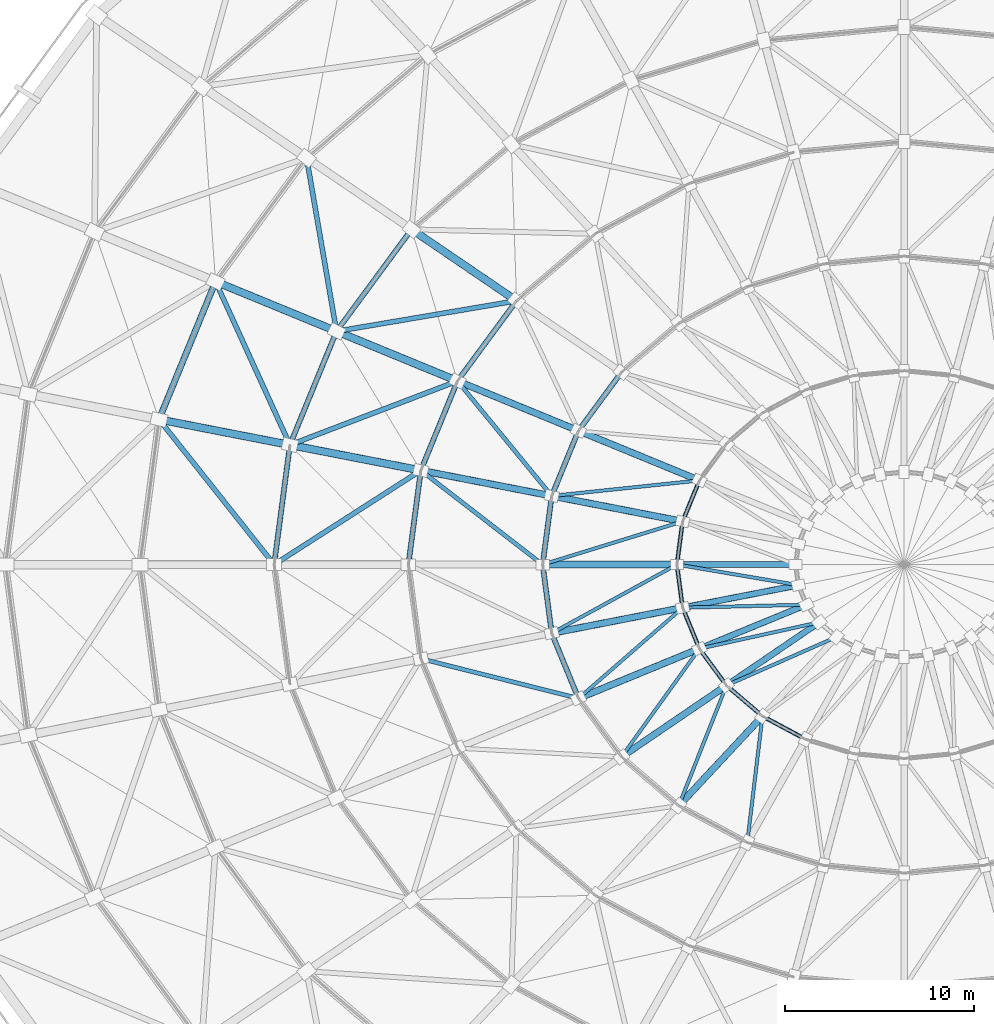
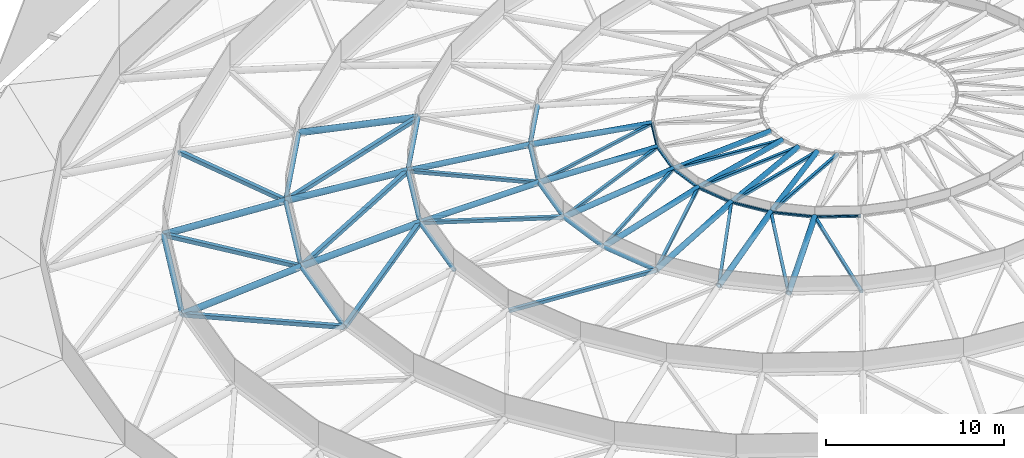
# One storey, part 7 of 27: 57 members.
"""IFC4 building model written with IfcOpenShell, lengths in metres."""

from ifc_helpers import new_model, si_unit, direction, frame, origin, origin_2d, place, context, subcontext, project, spatial, hollow_rectangle, hollow_circle, extrude, material, material_profile, profile_set, type_object, element, save


model = new_model("IFC4")

# Units and contexts
model_context = context("Model", 3, precision=1e-05, world=origin(), true_north=direction((0.0, 1.0)))
body_context = subcontext(model_context, "Body", "Model", "MODEL_VIEW")
ifc_project = project(units=[si_unit("LENGTHUNIT", "METRE"), si_unit("AREAUNIT", "SQUARE_METRE"), si_unit("VOLUMEUNIT", "CUBIC_METRE"), si_unit("PLANEANGLEUNIT", "RADIAN"), si_unit("MASSUNIT", "GRAM", prefix="KILO")], contexts=[model_context])

# Site, building, storey
site_placement = place(None, origin())
site = spatial("IfcSite", under=ifc_project, at=site_placement, CompositionType="ELEMENT")
building_placement = place(site_placement, origin())
building = spatial("IfcBuilding", under=site, at=building_placement, Name="Cuetzalor Civic Arena", CompositionType="ELEMENT")
storey_placement = place(building_placement, frame((0.0, 0.0, 31.800048828125)))
storey = spatial("IfcBuildingStorey", under=building, at=storey_placement, Name="Roof", CompositionType="ELEMENT", Elevation=31.800048828125)

# Members
ifc_material_1 = material(Name="Steel S355J2H", Category="steel")
ifc_material_profile_1 = material_profile(ifc_material_1, hollow_circle(Radius=0.136474609375, WallThickness=0.010009765625, at=origin_2d()), Name="CHS 273x10")
ifc_profile_set_1 = profile_set([ifc_material_profile_1], Name="Steel S355J2H")
member_type_1 = type_object("IfcMemberType", Name="DomeAnnularChord_CHS273", PredefinedType="CHORD", material=ifc_profile_set_1)
member_1_placement = place(storey_placement, frame((-26.01708984375, 17.70263671875, 5.66650390625), z_axis=(-0.592932287523, -0.805252322203, 0.0), x_axis=(0.805252322203, -0.592932287523, 0.0)))
element("IfcMember", 1, at=member_1_placement, inside=storey, type_object=member_type_1, Name="Dome Roof Truss Annular Ring Chord R3-S12", PredefinedType="CHORD", context=body_context, shape_type="SweptSolid", body=[
    extrude(hollow_circle(Radius=0.136474609375, WallThickness=0.010009765625, at=origin_2d()), origin(), (0.0, 0.0, 1.0), 6.681884765625),
])
member_2_placement = place(storey_placement, frame((-29.98095703125, 12.318359375, 5.66650390625), z_axis=(-0.379402610444, -0.925231678656, 0.0), x_axis=(0.925231678656, -0.379402610444, 0.0)))
element("IfcMember", 2, at=member_2_placement, inside=storey, type_object=member_type_1, Name="Dome Roof Truss Annular Ring Chord R3-S13", PredefinedType="CHORD", context=body_context, shape_type="SweptSolid", body=[
    extrude(hollow_circle(Radius=0.136474609375, WallThickness=0.010009765625, at=origin_2d()), origin(), (0.0, 0.0, 1.0), 6.482421875),
])
member_3_placement = place(storey_placement, frame((-32.44140625, 6.316650390625, 5.66650390625), z_axis=(-0.130895721038, -0.99139614192, 0.0), x_axis=(0.99139614192, -0.130895721038, 0.0)))
element("IfcMember", 3, at=member_3_placement, inside=storey, type_object=member_type_1, Name="Dome Roof Truss Annular Ring Chord R3-S14", PredefinedType="CHORD", context=body_context, shape_type="SweptSolid", body=[
    extrude(hollow_circle(Radius=0.136474609375, WallThickness=0.010009765625, at=origin_2d()), origin(), (0.0, 0.0, 1.0), 6.369384765625),
])
member_4_placement = place(storey_placement, frame((-20.47265625, 13.9296875, 7.077392578125), z_axis=(-0.592932877776, -0.805251887581, 0.0), x_axis=(0.805251887581, -0.592932877776, 0.0)))
element("IfcMember", 4, at=member_4_placement, inside=storey, type_object=member_type_1, Name="Dome Roof Truss Annular Ring Chord R4-S12", PredefinedType="CHORD", context=body_context, shape_type="SweptSolid", body=[
    extrude(hollow_circle(Radius=0.136474609375, WallThickness=0.010009765625, at=origin_2d()), origin(), (0.0, 0.0, 1.0), 5.25732421875),
])
member_5_placement = place(storey_placement, frame((-23.591796875, 9.69287109375, 7.077392578125), z_axis=(-0.379357788908, -0.925250057009, 0.0), x_axis=(0.925250057009, -0.379357788908, 0.0)))
element("IfcMember", 5, at=member_5_placement, inside=storey, type_object=member_type_1, Name="Dome Roof Truss Annular Ring Chord R4-S13", PredefinedType="CHORD", context=body_context, shape_type="SweptSolid", body=[
    extrude(hollow_circle(Radius=0.136474609375, WallThickness=0.010009765625, at=origin_2d()), origin(), (0.0, 0.0, 1.0), 5.100341796875),
])
member_6_placement = place(storey_placement, frame((-25.52783203125, 4.969970703125, 7.077392578125), z_axis=(-0.130861572844, -0.991400649966, 0.0), x_axis=(0.991400649966, -0.130861572844, 0.0)))
element("IfcMember", 6, at=member_6_placement, inside=storey, type_object=member_type_1, Name="Dome Roof Truss Annular Ring Chord R4-S14", PredefinedType="CHORD", context=body_context, shape_type="SweptSolid", body=[
    extrude(hollow_circle(Radius=0.136474609375, WallThickness=0.010009765625, at=origin_2d()), origin(), (0.0, 0.0, 1.0), 5.01123046875),
])
member_7_placement = place(storey_placement, frame((-14.92822265625, 10.156494140625, 8.21044921875), z_axis=(-0.592953433432, -0.805236751385, 0.0), x_axis=(0.805236751385, -0.592953433432, 0.0)))
element("IfcMember", 7, at=member_7_placement, inside=storey, type_object=member_type_1, Name="Dome Roof Truss Annular Ring Chord R5-S12", PredefinedType="CHORD", context=body_context, shape_type="SweptSolid", body=[
    extrude(hollow_circle(Radius=0.136474609375, WallThickness=0.010009765625, at=origin_2d()), origin(), (0.0, 0.0, 1.0), 3.83203125),
])
member_8_placement = place(storey_placement, frame((-17.202392578125, 7.067138671875, 8.21044921875), z_axis=(-0.379415117479, -0.925226549894, 0.0), x_axis=(0.925226549894, -0.379415117479, 0.0)))
element("IfcMember", 8, at=member_8_placement, inside=storey, type_object=member_type_1, Name="Dome Roof Truss Annular Ring Chord R5-S13", PredefinedType="CHORD", context=body_context, shape_type="SweptSolid", body=[
    extrude(hollow_circle(Radius=0.136474609375, WallThickness=0.010009765625, at=origin_2d()), origin(), (0.0, 0.0, 1.0), 3.718017578125),
])
for number, where, z_axis, x_axis, name in (
    (9, (-18.614013671875, 3.623291015625, 8.21044921875), (-0.130933411445, -0.991391164862, 0.0), (0.991391164862, -0.130933411445, 0.0), "Dome Roof Truss Annular Ring Chord R5-S14"),
    (10, (-19.09228515625, -0.001953125, 8.21044921875), (0.130933411445, -0.991391164862, 0.0), (0.991391164862, 0.130933411445, 0.0), "Dome Roof Truss Annular Ring Chord R5-S15"),
):
    element("IfcMember", number, at=place(storey_placement, frame(where, z_axis=z_axis, x_axis=x_axis)), inside=storey, type_object=member_type_1, Name=name, PredefinedType="CHORD", context=body_context, shape_type="SweptSolid", body=[
        extrude(hollow_circle(Radius=0.136474609375, WallThickness=0.010009765625, at=origin_2d()), origin(), (0.0, 0.0, 1.0), 3.65283203125),
    ])
member_9_placement = place(storey_placement, frame((-18.613037109375, -3.627197265625, 8.21044921875), z_axis=(0.379415117479, -0.925226549894, 0.0), x_axis=(0.925226549894, 0.379415117479, 0.0)))
element("IfcMember", 11, at=member_9_placement, inside=storey, type_object=member_type_1, Name="Dome Roof Truss Annular Ring Chord R5-S16", PredefinedType="CHORD", context=body_context, shape_type="SweptSolid", body=[
    extrude(hollow_circle(Radius=0.136474609375, WallThickness=0.010009765625, at=origin_2d()), origin(), (0.0, 0.0, 1.0), 3.718017578125),
])
ifc_material_2 = material(Name="Steel S355J2H", Category="steel")
ifc_material_profile_2 = material_profile(ifc_material_2, hollow_circle(Radius=0.161865234375, WallThickness=0.012451171875, at=origin_2d()), Name="CHS 323.9x12.5")
ifc_profile_set_2 = profile_set([ifc_material_profile_2], Name="Steel S355J2H")
member_type_2 = type_object("IfcMemberType", Name="DomeAnnularChord_CHS323", PredefinedType="CHORD", material=ifc_profile_set_2)
member_10_placement = place(storey_placement, frame((-36.3701171875, 14.944091796875, 4.004638671875), z_axis=(-0.379383309486, -0.925239593016, 0.0), x_axis=(0.925239593016, -0.379383309486, 0.0)))
element("IfcMember", 12, at=member_10_placement, inside=storey, type_object=member_type_2, Name="Dome Roof Truss Annular Ring Chord R2-S13", PredefinedType="CHORD", context=body_context, shape_type="SweptSolid", body=[
    extrude(hollow_circle(Radius=0.161865234375, WallThickness=0.012451171875, at=origin_2d()), origin(), (0.0, 0.0, 1.0), 7.864990234375),
])
member_11_placement = place(storey_placement, frame((-11.9990234375, 0.0, 9.02099609375), z_axis=(0.998178582881, 0.0, 0.060328406894), x_axis=(0.0, 1.0, 0.0)))
element("IfcMember", 13, at=member_11_placement, inside=storey, type_object=member_type_2, Name="Dome Roof Truss Radial Chord R7-S15", PredefinedType="CHORD", context=body_context, shape_type="SweptSolid", body=[
    extrude(hollow_circle(Radius=0.161865234375, WallThickness=0.012451171875, at=origin_2d()), origin(), (0.0, 0.0, 1.0), 6.28076171875),
])
member_12_placement = place(storey_placement, frame((-11.697998046875, -2.2783203125, 9.02099609375), z_axis=(0.979742221128, 0.190829394832, 0.060739790972), x_axis=(-0.191182387422, 0.981554529682, 0.0)))
element("IfcMember", 14, at=member_12_placement, inside=storey, type_object=member_type_2, Name="Dome Roof Truss Radial Chord R7-S16", PredefinedType="CHORD", context=body_context, shape_type="SweptSolid", body=[
    extrude(hollow_circle(Radius=0.161865234375, WallThickness=0.012451171875, at=origin_2d()), origin(), (0.0, 0.0, 1.0), 6.23828125),
])
member_13_placement = place(storey_placement, frame((-10.810791015625, -4.442626953125, 9.02099609375), z_axis=(0.923178215261, 0.379350591826, 0.061928275851), x_axis=(-0.380080116735, 0.924953569031, 0.0)))
element("IfcMember", 15, at=member_13_placement, inside=storey, type_object=member_type_2, Name="Dome Roof Truss Radial Chord R7-S17", PredefinedType="CHORD", context=body_context, shape_type="SweptSolid", body=[
    extrude(hollow_circle(Radius=0.161865234375, WallThickness=0.012451171875, at=origin_2d()), origin(), (0.0, 0.0, 1.0), 6.118408203125),
])
member_14_placement = place(storey_placement, frame((-9.381103515625, -6.384033203125, 9.02099609375), z_axis=(0.825045545792, 0.561455083015, 0.063781165923), x_axis=(-0.562600589235, 0.826728841273, 0.0)))
element("IfcMember", 16, at=member_14_placement, inside=storey, type_object=member_type_2, Name="Dome Roof Truss Radial Chord R7-S18", PredefinedType="CHORD", context=body_context, shape_type="SweptSolid", body=[
    extrude(hollow_circle(Radius=0.161865234375, WallThickness=0.012451171875, at=origin_2d()), origin(), (0.0, 0.0, 1.0), 5.940673828125),
])
ifc_material_3 = material(Name="Steel S355J2H", Category="steel")
ifc_material_profile_3 = material_profile(ifc_material_3, hollow_rectangle(XDim=0.179931640625, YDim=0.179931640625, WallThickness=0.010009765625, at=origin_2d()), Name="RHS 180x180x10")
ifc_profile_set_3 = profile_set([ifc_material_profile_3], Name="Steel S355J2H")
member_type_3 = type_object("IfcMemberType", Name="DomeLamellaStrut_RHS180", PredefinedType="STRUT", material=ifc_profile_set_3)
member_15_placement = place(storey_placement, frame((-18.61181640625, 3.62548828125, 8.21044921875), z_axis=(0.989277515007, 0.103735061612, 0.102805813523), x_axis=(-0.104287635383, 0.994547177919, 0.0)))
element("IfcMember", 17, at=member_15_placement, inside=storey, type_object=member_type_3, Name="Dome Roof Truss Lamella Strut R6-S14", PredefinedType="STRUT", context=body_context, shape_type="SweptSolid", body=[
    extrude(hollow_rectangle(XDim=0.179931640625, YDim=0.179931640625, WallThickness=0.010009765625, at=origin_2d()), origin(), (0.0, 0.0, 1.0), 7.8818359375),
])
member_16_placement = place(storey_placement, frame((-19.090576171875, 0.00048828125, 8.21044921875), z_axis=(0.950414037765, 0.293000362554, 0.104230246872), x_axis=(-0.294605018948, 0.955619109693, 0.0)))
element("IfcMember", 18, at=member_16_placement, inside=storey, type_object=member_type_3, Name="Dome Roof Truss Lamella Strut R6-S15", PredefinedType="STRUT", context=body_context, shape_type="SweptSolid", body=[
    extrude(hollow_rectangle(XDim=0.179931640625, YDim=0.179931640625, WallThickness=0.010009765625, at=origin_2d()), origin(), (0.0, 0.0, 1.0), 7.774169921875),
])
member_17_placement = place(storey_placement, frame((-18.612060546875, -3.62451171875, 8.21044921875), z_axis=(0.871842728142, 0.477980561875, 0.106887042505), x_axis=(-0.480734608565, 0.876866144932, 0.0)))
element("IfcMember", 19, at=member_17_placement, inside=storey, type_object=member_type_3, Name="Dome Roof Truss Lamella Strut R6-S16", PredefinedType="STRUT", context=body_context, shape_type="SweptSolid", body=[
    extrude(hollow_rectangle(XDim=0.179931640625, YDim=0.179931640625, WallThickness=0.010009765625, at=origin_2d()), origin(), (0.0, 0.0, 1.0), 7.580810546875),
])
member_18_placement = place(storey_placement, frame((-17.2001953125, -7.06787109375, 8.21044921875), z_axis=(0.749548498221, 0.652668306483, 0.110458727715), x_axis=(-0.656686761976, 0.7541634416, 0.0)))
element("IfcMember", 20, at=member_18_placement, inside=storey, type_object=member_type_3, Name="Dome Roof Truss Lamella Strut R6-S17", PredefinedType="STRUT", context=body_context, shape_type="SweptSolid", body=[
    extrude(hollow_rectangle(XDim=0.179931640625, YDim=0.179931640625, WallThickness=0.010009765625, at=origin_2d()), origin(), (0.0, 0.0, 1.0), 7.335693359375),
])
member_19_placement = place(storey_placement, frame((-14.92578125, -10.156494140625, 8.21044921875), z_axis=(0.580454438406, 0.806219268068, 0.114381540169), x_axis=(-0.811545527014, 0.584289190027, 0.0)))
element("IfcMember", 21, at=member_19_placement, inside=storey, type_object=member_type_3, Name="Dome Roof Truss Lamella Strut R6-S18", PredefinedType="STRUT", context=body_context, shape_type="SweptSolid", body=[
    extrude(hollow_rectangle(XDim=0.179931640625, YDim=0.179931640625, WallThickness=0.010009765625, at=origin_2d()), origin(), (0.0, 0.0, 1.0), 7.084228515625),
])
member_20_placement = place(storey_placement, frame((-11.9033203125, -12.736083984375, 8.21044921875), z_axis=(0.366312993885, 0.923005107933, 0.117797967901), x_axis=(-0.929476512168, 0.36888129978, 0.0)))
element("IfcMember", 22, at=member_20_placement, inside=storey, type_object=member_type_3, Name="Dome Roof Truss Lamella Strut R6-S19", PredefinedType="STRUT", context=body_context, shape_type="SweptSolid", body=[
    extrude(hollow_rectangle(XDim=0.179931640625, YDim=0.179931640625, WallThickness=0.010009765625, at=origin_2d()), origin(), (0.0, 0.0, 1.0), 6.878662109375),
])
member_21_placement = place(storey_placement, frame((-8.28369140625, -14.677001953125, 8.21044921875), z_axis=(0.11840979725, 0.985713743463, 0.119781199962), x_axis=(-0.992862038049, 0.11926849291, 0.0)))
element("IfcMember", 23, at=member_21_placement, inside=storey, type_object=member_type_3, Name="Dome Roof Truss Lamella Strut R6-S20", PredefinedType="STRUT", context=body_context, shape_type="SweptSolid", body=[
    extrude(hollow_rectangle(XDim=0.179931640625, YDim=0.179931640625, WallThickness=0.010009765625, at=origin_2d()), origin(), (0.0, 0.0, 1.0), 6.764892578125),
])
member_22_placement = place(storey_placement, frame((-11.9990234375, -0.000244140625, 9.02099609375), z_axis=(0.984263912241, -0.166860593186, 0.058155769285), x_axis=(0.167143480015, 0.985932582426, 0.0)))
element("IfcMember", 24, at=member_22_placement, inside=storey, type_object=member_type_3, Name="Dome Roof Truss Lamella Strut R7-S15", PredefinedType="STRUT", context=body_context, shape_type="SweptSolid", body=[
    extrude(hollow_rectangle(XDim=0.179931640625, YDim=0.179931640625, WallThickness=0.010009765625, at=origin_2d()), origin(), (0.0, 0.0, 1.0), 6.515380859375),
])
member_23_placement = place(storey_placement, frame((-11.697998046875, -2.27880859375, 9.02099609375), z_axis=(0.998032136131, 0.024159468946, 0.057863419451), x_axis=(-0.024200015862, 0.999707136732, 0.0)))
element("IfcMember", 25, at=member_23_placement, inside=storey, type_object=member_type_3, Name="Dome Roof Truss Lamella Strut R7-S16", PredefinedType="STRUT", context=body_context, shape_type="SweptSolid", body=[
    extrude(hollow_rectangle(XDim=0.179931640625, YDim=0.179931640625, WallThickness=0.010009765625, at=origin_2d()), origin(), (0.0, 0.0, 1.0), 6.54833984375),
])
member_24_placement = place(storey_placement, frame((-10.810546875, -4.443115234375, 9.02099609375), z_axis=(0.974898266146, 0.214868630583, 0.058351026188), x_axis=(-0.215235364249, 0.976562203844, 0.0)))
element("IfcMember", 26, at=member_24_placement, inside=storey, type_object=member_type_3, Name="Dome Roof Truss Lamella Strut R7-S17", PredefinedType="STRUT", context=body_context, shape_type="SweptSolid", body=[
    extrude(hollow_rectangle(XDim=0.179931640625, YDim=0.179931640625, WallThickness=0.010009765625, at=origin_2d()), origin(), (0.0, 0.0, 1.0), 6.49365234375),
])
member_25_placement = place(storey_placement, frame((-9.381103515625, -6.384521484375, 9.02099609375), z_axis=(0.913300741229, 0.402904215183, 0.059581452307), x_axis=(-0.403621269679, 0.914926155852, 0.0)))
element("IfcMember", 27, at=member_25_placement, inside=storey, type_object=member_type_3, Name="Dome Roof Truss Lamella Strut R7-S18", PredefinedType="STRUT", context=body_context, shape_type="SweptSolid", body=[
    extrude(hollow_rectangle(XDim=0.179931640625, YDim=0.179931640625, WallThickness=0.010009765625, at=origin_2d()), origin(), (0.0, 0.0, 1.0), 6.359375),
])
ifc_material_4 = material(Name="Steel S355J2H", Category="steel")
ifc_material_profile_4 = material_profile(ifc_material_4, hollow_rectangle(XDim=0.219970703125, YDim=0.219970703125, WallThickness=0.010009765625, at=origin_2d()), Name="RHS 220x220x10")
ifc_profile_set_4 = profile_set([ifc_material_profile_4], Name="Steel S355J2H")
member_type_4 = type_object("IfcMemberType", Name="DomeLamellaStrut_RHS220", PredefinedType="STRUT", material=ifc_profile_set_4)
member_26_placement = place(storey_placement, frame((-23.589599609375, 9.693115234375, 7.07763671875), z_axis=(0.627603077787, -0.765314766086, 0.142855470886), x_axis=(0.773245512337, 0.63410675572, 0.0)))
element("IfcMember", 28, at=member_26_placement, inside=storey, type_object=member_type_4, Name="Dome Roof Truss Lamella Strut R5-S13", PredefinedType="STRUT", context=body_context, shape_type="SweptSolid", body=[
    extrude(hollow_rectangle(XDim=0.219970703125, YDim=0.219970703125, WallThickness=0.010009765625, at=origin_2d()), origin(), (0.0, 0.0, 1.0), 7.92626953125),
])
member_27_placement = place(storey_placement, frame((-25.52587890625, 4.970703125, 7.07763671875), z_axis=(0.783752518242, -0.60555257198, 0.137978522665), x_axis=(0.611400482387, 0.791321331785, 0.0)))
element("IfcMember", 29, at=member_27_placement, inside=storey, type_object=member_type_4, Name="Dome Roof Truss Lamella Strut R5-S14", PredefinedType="STRUT", context=body_context, shape_type="SweptSolid", body=[
    extrude(hollow_rectangle(XDim=0.219970703125, YDim=0.219970703125, WallThickness=0.010009765625, at=origin_2d()), origin(), (0.0, 0.0, 1.0), 8.20654296875),
])
member_28_placement = place(storey_placement, frame((-25.525634765625, -4.972412109375, 7.07763671875), z_axis=(0.961378794028, -0.24215678486, 0.130808661563), x_axis=(0.244255518, 0.969710906367, 0.0)))
element("IfcMember", 30, at=member_28_placement, inside=storey, type_object=member_type_4, Name="Dome Roof Truss Lamella Strut R5-S16", PredefinedType="STRUT", context=body_context, shape_type="SweptSolid", body=[
    extrude(hollow_rectangle(XDim=0.219970703125, YDim=0.219970703125, WallThickness=0.010009765625, at=origin_2d()), origin(), (0.0, 0.0, 1.0), 8.65625),
])
ifc_material_5 = material(Name="Steel S355J2H", Category="steel")
ifc_material_profile_5 = material_profile(ifc_material_5, hollow_rectangle(XDim=0.260009765625, YDim=0.260009765625, WallThickness=0.012451171875, at=origin_2d()), Name="RHS 260x260x12.5")
ifc_profile_set_5 = profile_set([ifc_material_profile_5], Name="Steel S355J2H")
member_type_5 = type_object("IfcMemberType", Name="DomeLamellaStrut_RHS260", PredefinedType="STRUT", material=ifc_profile_set_5)
member_29_placement = place(storey_placement, frame((-31.559814453125, 21.4755859375, 4.005126953125), z_axis=(0.167376314357, -0.970052987769, 0.176018096548), x_axis=(0.985438710469, 0.170031020432, 0.0)))
element("IfcMember", 31, at=member_29_placement, inside=storey, type_object=member_type_5, Name="Dome Roof Truss Lamella Strut R3-S12", PredefinedType="STRUT", context=body_context, shape_type="SweptSolid", body=[
    extrude(hollow_rectangle(XDim=0.260009765625, YDim=0.260009765625, WallThickness=0.012451171875, at=origin_2d()), origin(), (0.0, 0.0, 1.0), 9.435791015625),
])
member_30_placement = place(storey_placement, frame((-36.36865234375, 14.944091796875, 4.0048828125), z_axis=(0.408176364401, -0.896419654298, 0.172695856736), x_axis=(0.91009363072, 0.414402682572, 0.0)))
element("IfcMember", 32, at=member_30_placement, inside=storey, type_object=member_type_5, Name="Dome Roof Truss Lamella Strut R3-S13", PredefinedType="STRUT", context=body_context, shape_type="SweptSolid", body=[
    extrude(hollow_rectangle(XDim=0.260009765625, YDim=0.260009765625, WallThickness=0.012451171875, at=origin_2d()), origin(), (0.0, 0.0, 1.0), 9.620361328125),
])
member_31_placement = place(storey_placement, frame((-39.353759765625, 7.663818359375, 4.0048828125), z_axis=(0.612624585496, -0.772425784019, 0.16747992545), x_axis=(0.783492230732, 0.621401580608, 0.0)))
element("IfcMember", 33, at=member_31_placement, inside=storey, type_object=member_type_5, Name="Dome Roof Truss Lamella Strut R3-S14", PredefinedType="STRUT", context=body_context, shape_type="SweptSolid", body=[
    extrude(hollow_rectangle(XDim=0.260009765625, YDim=0.260009765625, WallThickness=0.012451171875, at=origin_2d()), origin(), (0.0, 0.0, 1.0), 9.919921875),
])
member_32_placement = place(storey_placement, frame((-29.978271484375, 12.320556640625, 5.666748046875), z_axis=(0.975564238844, 0.16528361552, 0.144760983453), x_axis=(-0.167043138842, 0.985949587842, 0.0)))
element("IfcMember", 34, at=member_32_placement, inside=storey, type_object=member_type_5, Name="Dome Roof Truss Lamella Strut R4-S13", PredefinedType="STRUT", context=body_context, shape_type="SweptSolid", body=[
    extrude(hollow_rectangle(XDim=0.260009765625, YDim=0.260009765625, WallThickness=0.012451171875, at=origin_2d()), origin(), (0.0, 0.0, 1.0), 9.742919921875),
])
member_33_placement = place(storey_placement, frame((-32.439453125, 6.3193359375, 5.666748046875), z_axis=(0.924130166504, 0.352529288321, 0.147331382379), x_axis=(-0.356418820205, 0.934326294505, 0.0)))
element("IfcMember", 35, at=member_33_placement, inside=storey, type_object=member_type_5, Name="Dome Roof Truss Lamella Strut R4-S14", PredefinedType="STRUT", context=body_context, shape_type="SweptSolid", body=[
    extrude(hollow_rectangle(XDim=0.260009765625, YDim=0.260009765625, WallThickness=0.012451171875, at=origin_2d()), origin(), (0.0, 0.0, 1.0), 9.572998046875),
])
member_34_placement = place(storey_placement, frame((-33.273681640625, 0.001220703125, 5.666748046875), z_axis=(0.831898413658, 0.533845846865, 0.151504591145), x_axis=(-0.540080233959, 0.841613534163, 0.0)))
element("IfcMember", 36, at=member_34_placement, inside=storey, type_object=member_type_5, Name="Dome Roof Truss Lamella Strut R4-S15", PredefinedType="STRUT", context=body_context, shape_type="SweptSolid", body=[
    extrude(hollow_rectangle(XDim=0.260009765625, YDim=0.260009765625, WallThickness=0.012451171875, at=origin_2d()), origin(), (0.0, 0.0, 1.0), 9.309326171875),
])
ifc_material_6 = material(Name="Steel S355J2H", Category="steel")
ifc_material_profile_6 = material_profile(ifc_material_6, hollow_circle(Radius=0.109619140625, WallThickness=0.010009765625, at=origin_2d()), Name="CHS 219.1x10")
ifc_profile_set_6 = profile_set([ifc_material_profile_6], Name="Steel S355J2H")
member_type_6 = type_object("IfcMemberType", Name="DomeLanternRing_CHS219", PredefinedType="CHORD", material=ifc_profile_set_6)
member_35_placement = place(storey_placement, frame((-10.813232421875, 4.44140625, 9.020751953125), z_axis=(-0.379398031212, -0.925233556413, 0.0), x_axis=(0.925233556413, -0.379398031212, 0.0)))
element("IfcMember", 37, at=member_35_placement, inside=storey, type_object=member_type_6, Name="Dome Roof Truss Annular Ring Chord R6-S13", PredefinedType="CHORD", context=body_context, shape_type="SweptSolid", body=[
    extrude(hollow_circle(Radius=0.109619140625, WallThickness=0.010009765625, at=origin_2d()), origin(), (0.0, 0.0, 1.0), 2.335205078125),
])
for number, where, z_axis, x_axis, name in (
    (38, (-11.700439453125, 2.27685546875, 9.020751953125), (-0.130867338838, -0.991399888857, 0.0), (0.991399888857, -0.130867338838, 0.0), "Dome Roof Truss Annular Ring Chord R6-S14"),
    (39, (-12.000732421875, -0.001953125, 9.020751953125), (0.130867338838, -0.991399888857, 0.0), (0.991399888857, 0.130867338838, 0.0), "Dome Roof Truss Annular Ring Chord R6-S15"),
):
    element("IfcMember", number, at=place(storey_placement, frame(where, z_axis=z_axis, x_axis=x_axis)), inside=storey, type_object=member_type_6, Name=name, PredefinedType="CHORD", context=body_context, shape_type="SweptSolid", body=[
        extrude(hollow_circle(Radius=0.109619140625, WallThickness=0.010009765625, at=origin_2d()), origin(), (0.0, 0.0, 1.0), 2.294677734375),
    ])
member_36_placement = place(storey_placement, frame((-11.69921875, -2.28076171875, 9.020751953125), z_axis=(0.379398031212, -0.925233556413, 0.0), x_axis=(0.925233556413, 0.379398031212, 0.0)))
element("IfcMember", 40, at=member_36_placement, inside=storey, type_object=member_type_6, Name="Dome Roof Truss Annular Ring Chord R6-S16", PredefinedType="CHORD", context=body_context, shape_type="SweptSolid", body=[
    extrude(hollow_circle(Radius=0.109619140625, WallThickness=0.010009765625, at=origin_2d()), origin(), (0.0, 0.0, 1.0), 2.335205078125),
])
member_37_placement = place(storey_placement, frame((-10.811279296875, -4.445068359375, 9.020751953125), z_axis=(0.592901474518, -0.805275009866, 0.0), x_axis=(0.805275009866, 0.592901474518, 0.0)))
element("IfcMember", 41, at=member_37_placement, inside=storey, type_object=member_type_6, Name="Dome Roof Truss Annular Ring Chord R6-S17", PredefinedType="CHORD", context=body_context, shape_type="SweptSolid", body=[
    extrude(hollow_circle(Radius=0.109619140625, WallThickness=0.010009765625, at=origin_2d()), origin(), (0.0, 0.0, 1.0), 2.4072265625),
])
member_38_placement = place(storey_placement, frame((-9.38134765625, -6.386474609375, 9.020751953125), z_axis=(0.760740130063, -0.649056588066, 0.0), x_axis=(0.649056588066, 0.760740130063, 0.0)))
element("IfcMember", 42, at=member_38_placement, inside=storey, type_object=member_type_6, Name="Dome Roof Truss Annular Ring Chord R6-S18", PredefinedType="CHORD", context=body_context, shape_type="SweptSolid", body=[
    extrude(hollow_circle(Radius=0.109619140625, WallThickness=0.010009765625, at=origin_2d()), origin(), (0.0, 0.0, 1.0), 2.494140625),
])
member_39_placement = place(storey_placement, frame((-7.480712890625, -8.007568359375, 9.020751953125), z_axis=(0.881296882104, -0.472563017591, 0.0), x_axis=(0.472563017591, 0.881296882104, 0.0)))
element("IfcMember", 43, at=member_39_placement, inside=storey, type_object=member_type_6, Name="Dome Roof Truss Annular Ring Chord R6-S19", PredefinedType="CHORD", context=body_context, shape_type="SweptSolid", body=[
    extrude(hollow_circle(Radius=0.109619140625, WallThickness=0.010009765625, at=origin_2d()), origin(), (0.0, 0.0, 1.0), 2.577880859375),
])
ifc_material_7 = material(Name="Steel S355J2H", Category="steel")
ifc_material_profile_7 = material_profile(ifc_material_7, hollow_circle(Radius=0.177734375, WallThickness=0.01416015625, at=origin_2d()), Name="CHS 355.6x14.2")
ifc_profile_set_7 = profile_set([ifc_material_profile_7], Name="Steel S355J2H")
member_type_7 = type_object("IfcMemberType", Name="DomeRadialChord_CHS355", PredefinedType="CHORD", material=ifc_profile_set_7)
member_40_placement = place(storey_placement, frame((-23.589111328125, 9.69384765625, 7.07763671875), z_axis=(0.912752107468, -0.375081615411, 0.161856022727), x_axis=(0.380093380884, 0.924948118442, 0.0)))
element("IfcMember", 44, at=member_40_placement, inside=storey, type_object=member_type_7, Name="Dome Roof Truss Radial Chord R5-S13", PredefinedType="CHORD", context=body_context, shape_type="SweptSolid", body=[
    extrude(hollow_circle(Radius=0.177734375, WallThickness=0.01416015625, at=origin_2d()), origin(), (0.0, 0.0, 1.0), 6.995849609375),
])
member_41_placement = place(storey_placement, frame((-25.525634765625, 4.9716796875, 7.07763671875), z_axis=(0.969096700352, -0.188765505743, 0.158805444519), x_axis=(0.191191748916, 0.98155270625, 0.0)))
element("IfcMember", 45, at=member_41_placement, inside=storey, type_object=member_type_7, Name="Dome Roof Truss Radial Chord R5-S14", PredefinedType="CHORD", context=body_context, shape_type="SweptSolid", body=[
    extrude(hollow_circle(Radius=0.177734375, WallThickness=0.01416015625, at=origin_2d()), origin(), (0.0, 0.0, 1.0), 7.13037109375),
])
member_42_placement = place(storey_placement, frame((-17.199951171875, 7.068359375, 8.21044921875), z_axis=(0.918635217618, -0.377519878964, 0.116567911274), x_axis=(0.380111202168, 0.924940794855, 0.0)))
element("IfcMember", 46, at=member_42_placement, inside=storey, type_object=member_type_7, Name="Dome Roof Truss Radial Chord R6-S13", PredefinedType="CHORD", context=body_context, shape_type="SweptSolid", body=[
    extrude(hollow_circle(Radius=0.177734375, WallThickness=0.01416015625, at=origin_2d()), origin(), (0.0, 0.0, 1.0), 6.951416015625),
])
member_43_placement = place(storey_placement, frame((-18.61181640625, 3.625, 8.21044921875), z_axis=(0.975119096568, -0.189910835287, 0.114353059201), x_axis=(0.191164843539, 0.981557946631, 0.0)))
element("IfcMember", 47, at=member_43_placement, inside=storey, type_object=member_type_7, Name="Dome Roof Truss Radial Chord R6-S14", PredefinedType="CHORD", context=body_context, shape_type="SweptSolid", body=[
    extrude(hollow_circle(Radius=0.177734375, WallThickness=0.01416015625, at=origin_2d()), origin(), (0.0, 0.0, 1.0), 7.0859375),
])
member_44_placement = place(storey_placement, frame((-19.090576171875, 0.0, 8.21044921875), z_axis=(0.993528149247, 0.0, 0.113586164009), x_axis=(0.0, 1.0, 0.0)))
element("IfcMember", 48, at=member_44_placement, inside=storey, type_object=member_type_7, Name="Dome Roof Truss Radial Chord R6-S15", PredefinedType="CHORD", context=body_context, shape_type="SweptSolid", body=[
    extrude(hollow_circle(Radius=0.177734375, WallThickness=0.01416015625, at=origin_2d()), origin(), (0.0, 0.0, 1.0), 7.1337890625),
])
member_45_placement = place(storey_placement, frame((-18.61181640625, -3.625, 8.21044921875), z_axis=(0.975119096568, 0.189910835287, 0.114353059201), x_axis=(-0.191164843539, 0.981557946631, 0.0)))
element("IfcMember", 49, at=member_45_placement, inside=storey, type_object=member_type_7, Name="Dome Roof Truss Radial Chord R6-S16", PredefinedType="CHORD", context=body_context, shape_type="SweptSolid", body=[
    extrude(hollow_circle(Radius=0.177734375, WallThickness=0.01416015625, at=origin_2d()), origin(), (0.0, 0.0, 1.0), 7.0859375),
])
member_46_placement = place(storey_placement, frame((-17.199951171875, -7.068359375, 8.21044921875), z_axis=(0.918635217618, 0.377519878964, 0.116567911274), x_axis=(-0.380111202168, 0.924940794855, 0.0)))
element("IfcMember", 50, at=member_46_placement, inside=storey, type_object=member_type_7, Name="Dome Roof Truss Radial Chord R6-S17", PredefinedType="CHORD", context=body_context, shape_type="SweptSolid", body=[
    extrude(hollow_circle(Radius=0.177734375, WallThickness=0.01416015625, at=origin_2d()), origin(), (0.0, 0.0, 1.0), 6.951416015625),
])
member_47_placement = place(storey_placement, frame((-14.925537109375, -10.156982421875, 8.21044921875), z_axis=(0.820751474206, 0.558534830768, 0.120024415883), x_axis=(-0.562601913678, 0.826727939969, 0.0)))
element("IfcMember", 51, at=member_47_placement, inside=storey, type_object=member_type_7, Name="Dome Roof Truss Radial Chord R6-S18", PredefinedType="CHORD", context=body_context, shape_type="SweptSolid", body=[
    extrude(hollow_circle(Radius=0.177734375, WallThickness=0.01416015625, at=origin_2d()), origin(), (0.0, 0.0, 1.0), 6.751220703125),
])
member_48_placement = place(storey_placement, frame((-11.902587890625, -12.736572265625, 8.21044921875), z_axis=(0.677476129415, 0.724976942069, 0.124235773995), x_axis=(-0.730637390049, 0.682765702318, 0.0)))
element("IfcMember", 52, at=member_48_placement, inside=storey, type_object=member_type_7, Name="Dome Roof Truss Radial Chord R6-S19", PredefinedType="CHORD", context=body_context, shape_type="SweptSolid", body=[
    extrude(hollow_circle(Radius=0.177734375, WallThickness=0.01416015625, at=origin_2d()), origin(), (0.0, 0.0, 1.0), 6.522216796875),
])
ifc_material_8 = material(Name="Steel S355J2H", Category="steel")
ifc_material_profile_8 = material_profile(ifc_material_8, hollow_circle(Radius=0.202880859375, WallThickness=0.01611328125, at=origin_2d()), Name="CHS 406x16")
ifc_profile_set_8 = profile_set([ifc_material_profile_8], Name="Steel S355J2H")
member_type_8 = type_object("IfcMemberType", Name="DomeRadialChord_CHS406", PredefinedType="CHORD", material=ifc_profile_set_8)
member_49_placement = place(storey_placement, frame((-36.36767578125, 14.9453125, 4.005126953125), z_axis=(0.899284049236, -0.369567374416, 0.233897743805), x_axis=(0.380111202168, 0.924940794855, 0.0)))
element("IfcMember", 53, at=member_49_placement, inside=storey, type_object=member_type_8, Name="Dome Roof Truss Radial Chord R3-S13", PredefinedType="CHORD", context=body_context, shape_type="SweptSolid", body=[
    extrude(hollow_circle(Radius=0.202880859375, WallThickness=0.01611328125, at=origin_2d()), origin(), (0.0, 0.0, 1.0), 7.100830078125),
])
member_50_placement = place(storey_placement, frame((-39.35302734375, 7.664794921875, 4.005126953125), z_axis=(0.955330824521, -0.186050365854, 0.229626385868), x_axis=(0.191158336127, 0.98155921397, 0.0)))
element("IfcMember", 54, at=member_50_placement, inside=storey, type_object=member_type_8, Name="Dome Roof Truss Radial Chord R3-S14", PredefinedType="CHORD", context=body_context, shape_type="SweptSolid", body=[
    extrude(hollow_circle(Radius=0.202880859375, WallThickness=0.01611328125, at=origin_2d()), origin(), (0.0, 0.0, 1.0), 7.23291015625),
])
member_51_placement = place(storey_placement, frame((-26.01416015625, 17.703125, 5.666748046875), z_axis=(0.809015458143, -0.550548279477, 0.205889728861), x_axis=(0.562601913678, 0.826727939969, 0.0)))
element("IfcMember", 55, at=member_51_placement, inside=storey, type_object=member_type_8, Name="Dome Roof Truss Radial Chord R4-S12", PredefinedType="CHORD", context=body_context, shape_type="SweptSolid", body=[
    extrude(hollow_circle(Radius=0.202880859375, WallThickness=0.01611328125, at=origin_2d()), origin(), (0.0, 0.0, 1.0), 6.84912109375),
])
member_52_placement = place(storey_placement, frame((-29.978515625, 12.319580078125, 5.666748046875), z_axis=(0.906230193855, -0.372421943483, 0.200121792312), x_axis=(0.380111202168, 0.924940794855, 0.0)))
element("IfcMember", 56, at=member_52_placement, inside=storey, type_object=member_type_8, Name="Dome Roof Truss Radial Chord R4-S13", PredefinedType="CHORD", context=body_context, shape_type="SweptSolid", body=[
    extrude(hollow_circle(Radius=0.202880859375, WallThickness=0.01611328125, at=origin_2d()), origin(), (0.0, 0.0, 1.0), 7.04638671875),
])
member_53_placement = place(storey_placement, frame((-32.439208984375, 6.318115234375, 5.666748046875), z_axis=(0.96243984419, -0.187434845111, 0.196412130871), x_axis=(0.191158336127, 0.98155921397, 0.0)))
element("IfcMember", 57, at=member_53_placement, inside=storey, type_object=member_type_8, Name="Dome Roof Truss Radial Chord R4-S14", PredefinedType="CHORD", context=body_context, shape_type="SweptSolid", body=[
    extrude(hollow_circle(Radius=0.202880859375, WallThickness=0.01611328125, at=origin_2d()), origin(), (0.0, 0.0, 1.0), 7.1796875),
])

save(model, "model.ifc")
